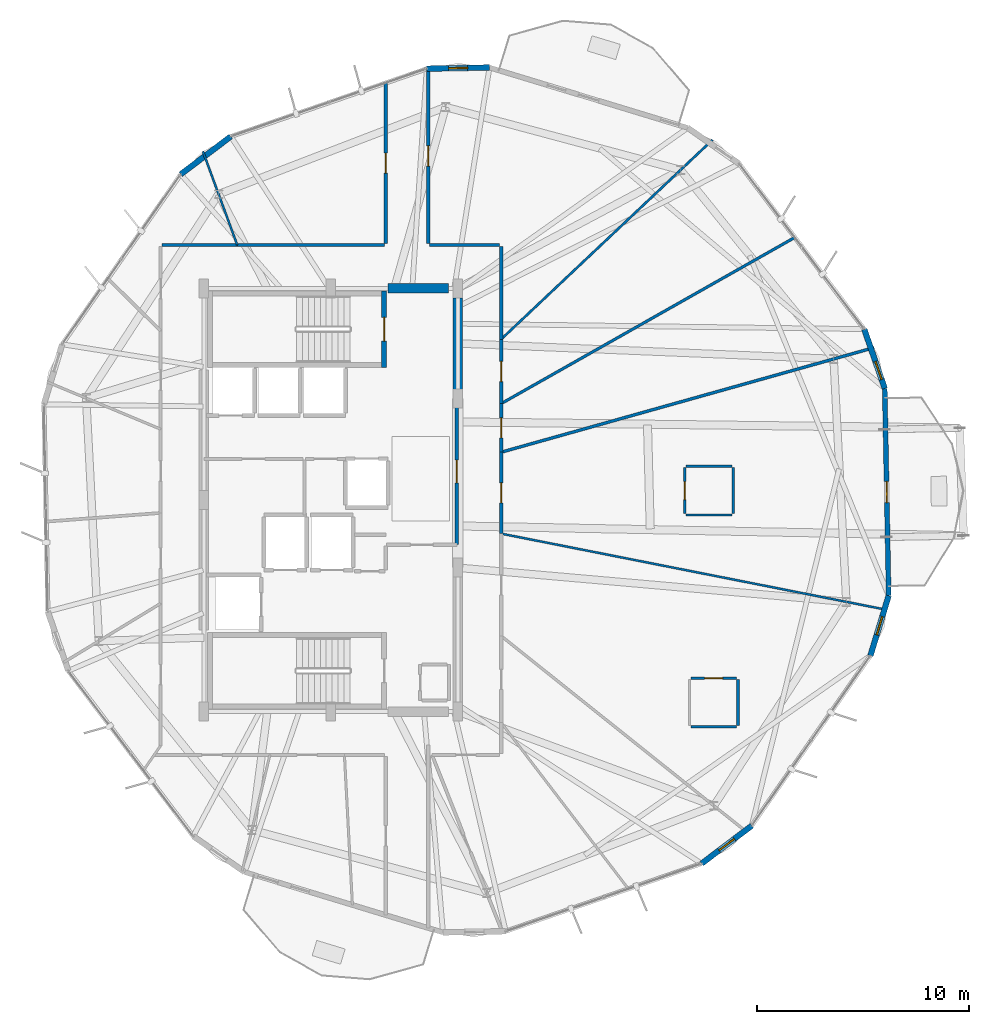
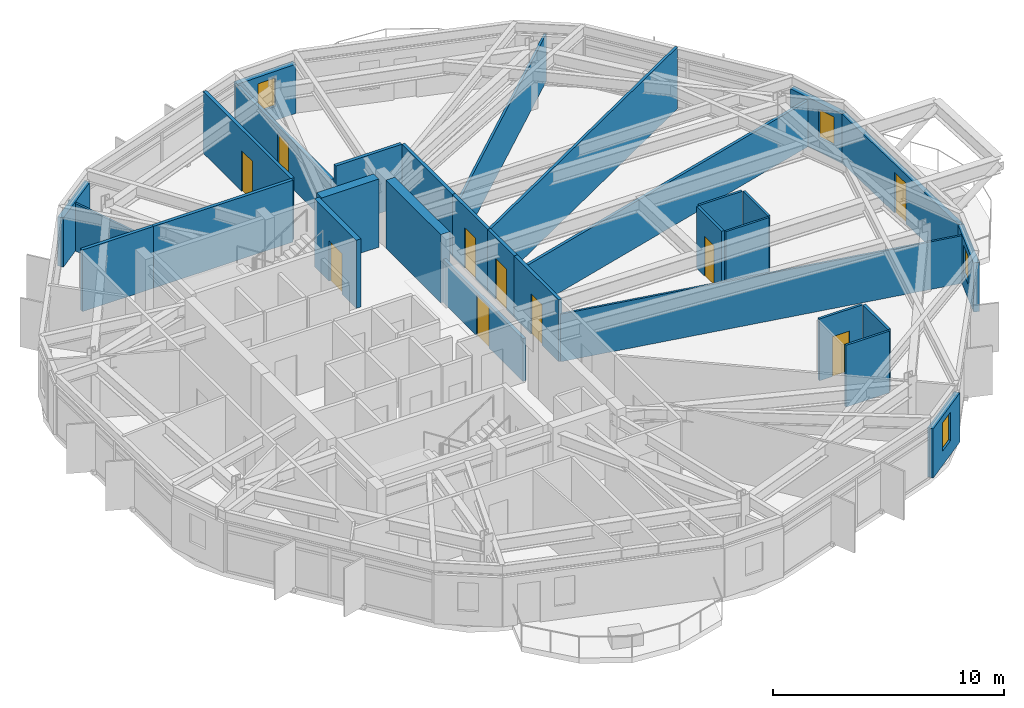
# One storey, part 30 of 34: 31 walls, 10 doors, 4 windows, 14 openings.
"""IFC4 building model written with IfcOpenShell, lengths in metres."""

import ifcopenshell
import ifcopenshell.guid

model = None  # the IFC model being written
_history = None  # IfcOwnerHistory: only IFC2X3 demands one
_inside = {}  # id of a spatial element -> (the spatial element, [elements in it])
_under = {}  # id of a project, library or spatial element -> (it, [spatial elements below it])
_declared = {}  # id of a project -> (the project, [libraries it declares])
_typed = {}  # id of a type object -> (the type object, [elements of that type])
_made_of = {}  # id of a material, layer set ... -> (it, [elements and type objects made of it])


def new_model(schema):
    """Start an empty IFC model of exactly this schema.

    Asked for "IFC4X3", IfcOpenShell would pick the latest addendum, in which some entities
    have other attributes; the version numbers below select the first issue.
    IFC2X3 requires an IfcOwnerHistory on every rooted entity: one is made here for all.
    """
    global model, _history
    if schema == "IFC4X3":
        model = ifcopenshell.file(schema_version=(4, 3, 0, 0))
    else:
        model = ifcopenshell.file(schema=schema)
    _inside.clear()
    _under.clear()
    _declared.clear()
    _typed.clear()
    _made_of.clear()
    _history = None
    if model.schema == "IFC2X3":
        org = make("IfcOrganization", Name="unknown")
        user = make(
            "IfcPersonAndOrganization",
            ThePerson=make("IfcPerson", FamilyName="unknown"),
            TheOrganization=org,
        )
        app = make(
            "IfcApplication",
            ApplicationDeveloper=org,
            Version="unknown",
            ApplicationFullName="unknown",
            ApplicationIdentifier="unknown",
        )
        _history = make(
            "IfcOwnerHistory",
            OwningUser=user,
            OwningApplication=app,
            ChangeAction="ADDED",
            CreationDate=0,
        )
    return model


def make(cls, **values):
    """One entity of the class cls with the attributes given. An attribute that is None is left unset."""
    return model.create_entity(
        cls, **{name: value for name, value in values.items() if value is not None}
    )


def rooted(cls, **values):
    """An entity with a GlobalId (a new one), such as an element, a storey or a relation."""
    return make(cls, GlobalId=ifcopenshell.guid.new(), OwnerHistory=_history, **values)


def si_unit(unit_type, name, prefix=None):
    """IfcSIUnit, for example si_unit("LENGTHUNIT", "METRE", prefix="MILLI")."""
    return make("IfcSIUnit", UnitType=unit_type, Prefix=prefix, Name=name)


def assignment(units):
    """IfcUnitAssignment: the units of a project."""
    return None if units is None else make("IfcUnitAssignment", Units=units)


def point(xyz):
    """IfcCartesianPoint."""
    return None if xyz is None else make("IfcCartesianPoint", Coordinates=xyz)


def direction(xyz):
    """IfcDirection."""
    return None if xyz is None else make("IfcDirection", DirectionRatios=xyz)


def frame(location, z_axis=None, x_axis=None):
    """IfcAxis2Placement3D, a coordinate frame: its origin and axes. An axis left out is left unset."""
    return make(
        "IfcAxis2Placement3D",
        Location=point(location),
        Axis=direction(z_axis),
        RefDirection=direction(x_axis),
    )


def frame_2d(location, x_axis=None):
    """IfcAxis2Placement2D, a coordinate frame in the plane: its origin and x axis."""
    return make(
        "IfcAxis2Placement2D", Location=point(location), RefDirection=direction(x_axis)
    )


def origin():
    """The frame at (0, 0, 0) with its axes left unset."""
    return frame((0.0, 0.0, 0.0))


def place(relative_to, where):
    """IfcLocalPlacement: puts the frame where relative to a parent placement (None: the world)."""
    return make(
        "IfcLocalPlacement", PlacementRelTo=relative_to, RelativePlacement=where
    )


def context(
    kind, dimensions, precision=None, world=None, true_north=None, identifier=None
):
    """IfcGeometricRepresentationContext, for example the 3D "Model" context."""
    return make(
        "IfcGeometricRepresentationContext",
        ContextIdentifier=identifier,
        ContextType=kind,
        CoordinateSpaceDimension=dimensions,
        Precision=precision,
        WorldCoordinateSystem=world,
        TrueNorth=true_north,
    )


def subcontext(parent, identifier, kind, view, scale=None):
    """IfcGeometricRepresentationSubContext, for example "Body" below "Model"."""
    return make(
        "IfcGeometricRepresentationSubContext",
        ContextIdentifier=identifier,
        ContextType=kind,
        ParentContext=parent,
        TargetScale=scale,
        TargetView=view,
    )


def project(units=None, contexts=None):
    """IfcProject with its units and contexts."""
    return rooted(
        "IfcProject",
        Name="project",
        RepresentationContexts=contexts,
        UnitsInContext=assignment(units),
    )


def spatial(cls, under=None, at=None, **own):
    """A site, building, storey or space (cls), placed at a placement, below another one or the project."""
    s = rooted(cls, ObjectPlacement=at, **own)
    if under is not None:
        _under.setdefault(under.id(), (under, []))[1].append(s)
    return s


def profile(cls, at=None, kind="AREA", **sizes):
    """A parametric profile (cls). Its sizes go by their IFC names, for example OverallWidth=200.0."""
    return make(cls, ProfileType=kind, Position=at, **sizes)


def rectangle(**sizes):
    """IfcRectangleProfileDef."""
    return profile("IfcRectangleProfileDef", **sizes)


def extrude(swept, where, along, depth):
    """IfcExtrudedAreaSolid: the profile swept, set in the frame where, extruded along a direction by depth."""
    return make(
        "IfcExtrudedAreaSolid",
        SweptArea=swept,
        Position=where,
        ExtrudedDirection=direction(along),
        Depth=depth,
    )


def shape(context_of_items, identifier, shape_type, items):
    """IfcShapeRepresentation: the items that make up one representation, for example the "Body"."""
    return make(
        "IfcShapeRepresentation",
        ContextOfItems=context_of_items,
        RepresentationIdentifier=identifier,
        RepresentationType=shape_type,
        Items=items,
    )


def material(Name=None, Category=None):
    """IfcMaterial."""
    return make("IfcMaterial", Name=Name, Category=Category)


def layer(
    of_material, thickness, ventilated=None, Name=None, Category=None, Priority=None
):
    """IfcMaterialLayer: one layer of a wall or slab, of a material (None: an air gap)."""
    return make(
        "IfcMaterialLayer",
        Material=of_material,
        LayerThickness=thickness,
        IsVentilated=ventilated,
        Name=Name,
        Category=Category,
        Priority=Priority,
    )


def layer_set(layers, Name=None):
    """IfcMaterialLayerSet."""
    return make("IfcMaterialLayerSet", MaterialLayers=layers, LayerSetName=Name)


def made_of(thing, what):
    """Note that an element or type object is made of a material, layer set ...; save() writes the relation."""
    if what is not None:
        _made_of.setdefault(what.id(), (what, []))[1].append(thing)
    return thing


def type_object(cls, material=None, **own):
    """A type object (cls), such as IfcWallType, which elements share."""
    return made_of(rooted(cls, **own), material)


def element(
    cls,
    number,
    at=None,
    inside=None,
    cuts=None,
    type_object=None,
    material=None,
    context=None,
    identifier="Body",
    shape_type=None,
    held_by="IfcProductDefinitionShape",
    body=None,
    shapes=None,
    **own,
):
    """One element of the class cls, such as IfcWall. Its Tag is "e" and its number.

    at: its placement. inside: the storey or other place that contains it. cuts: it is an
    opening in that element (IfcRelVoidsElement). A single representation is given by context,
    identifier, shape_type and body (its items); several are given by shapes. held_by: the class
    of the entity that holds the representations. save() writes the other relations.
    """
    e = rooted(cls, Tag="e%d" % number, ObjectPlacement=at, **own)
    if body is not None:
        shapes = [shape(context, identifier, shape_type, body)]
    if shapes is not None:
        e.Representation = make(held_by, Representations=shapes)
    if inside is not None:
        _inside.setdefault(inside.id(), (inside, []))[1].append(e)
    if cuts is not None:
        rooted(
            "IfcRelVoidsElement", RelatingBuildingElement=cuts, RelatedOpeningElement=e
        )
    if type_object is not None:
        _typed.setdefault(type_object.id(), (type_object, []))[1].append(e)
    return made_of(e, material)


def fill(opening, filler):
    """IfcRelFillsElement: the door or window that sits in an opening."""
    return rooted(
        "IfcRelFillsElement",
        RelatingOpeningElement=opening,
        RelatedBuildingElement=filler,
    )


def aggregate(whole, parts):
    """IfcRelAggregates: a whole, such as a stair, and the parts it consists of."""
    return rooted("IfcRelAggregates", RelatingObject=whole, RelatedObjects=parts)


def save(model, path):
    """Write the relations noted so far, then the file.

    IfcRelAggregates (storeys below a building ...), IfcRelContainedInSpatialStructure (elements
    in a storey), IfcRelDefinesByType, IfcRelAssociatesMaterial and IfcRelDeclares: one each for
    every whole, place, type object, material and project.
    """
    for whole, parts in _under.values():
        aggregate(whole, parts)
    for where, things in _inside.values():
        rooted(
            "IfcRelContainedInSpatialStructure",
            RelatedElements=things,
            RelatingStructure=where,
        )
    for kind, things in _typed.values():
        rooted("IfcRelDefinesByType", RelatedObjects=things, RelatingType=kind)
    for what, things in _made_of.values():
        rooted("IfcRelAssociatesMaterial", RelatedObjects=things, RelatingMaterial=what)
    for by, libraries in _declared.values():
        rooted("IfcRelDeclares", RelatingContext=by, RelatedDefinitions=libraries)
    model.write(path)


model = new_model("IFC4")

# Units and contexts
model_context = context("Model", 3, precision=1e-05, world=origin(), true_north=direction((0.0, 1.0)))
body_context = subcontext(model_context, "Body", "Model", "MODEL_VIEW")
ifc_project = project(units=[si_unit("LENGTHUNIT", "METRE"), si_unit("AREAUNIT", "SQUARE_METRE"), si_unit("VOLUMEUNIT", "CUBIC_METRE"), si_unit("PLANEANGLEUNIT", "RADIAN"), si_unit("MASSUNIT", "GRAM", prefix="KILO")], contexts=[model_context])

# Site, building, storey
site_placement = place(None, origin())
site = spatial("IfcSite", under=ifc_project, at=site_placement, CompositionType="ELEMENT")
building_placement = place(site_placement, origin())
building = spatial("IfcBuilding", under=site, at=building_placement, Name="Soratama Intermodal Tower", CompositionType="ELEMENT")
storey_placement = place(building_placement, frame((0.0, 0.0, 233.800048828125)))
storey = spatial("IfcBuildingStorey", under=building, at=storey_placement, Name="L59", CompositionType="ELEMENT", Elevation=233.800048828125)

# Wall, opening, door
ifc_material_1 = material(Name="Concrete f'c 42 MPa", Category="concrete")
ifc_layer_1 = layer(ifc_material_1, 0.22998046875)
ifc_layer_set_1 = layer_set([ifc_layer_1], Name="Concrete f'c 42 MPa")
wall_type_1 = type_object("IfcWallType", Name="EW-BAL-230", PredefinedType="SOLIDWALL", material=ifc_layer_set_1)
wall_1_placement = place(storey_placement, frame((64.9658203125, 20.476806640625, 0.0), z_axis=(0.0, 0.0, 1.0), x_axis=(-0.018838247523, 0.99982254447, 0.0)))
wall_1 = element("IfcWall", 1, at=wall_1_placement, inside=storey, type_object=wall_type_1, Name="L59 Terrace Wall F09", PredefinedType="SOLIDWALL", context=body_context, shape_type="SweptSolid", body=[
    extrude(rectangle(XDim=9.797607421875, YDim=0.22998046875, at=frame_2d((4.89892578125, 0.0))), origin(), (0.0, 0.0, 1.0), 2.598876953125),
])
opening_1_placement = place(wall_1_placement, frame((4.398681640625, 0.0, 0.0)))
opening_1 = element("IfcOpeningElement", 2, at=opening_1_placement, cuts=wall_1, Name="Opening ED-2", PredefinedType="OPENING", context=body_context, shape_type="SweptSolid", body=[
    extrude(rectangle(XDim=1.0, YDim=2.14990234375, at=frame_2d((0.5, 1.074951171875))), frame((0.0, 0.125, 0.0), z_axis=(0.0, -1.0, 0.0), x_axis=(1.0, 0.0, 0.0)), (0.0, 0.0, 1.0), 0.25),
])
ifc_material_2 = material(Name="Double-glazed aluminium door", Category="aluminium")
door_type_1 = type_object("IfcDoorType", Name="DR-BAL-1000", OperationType="NOTDEFINED", PredefinedType="DOOR", material=ifc_material_2)
door_1_placement = place(opening_1_placement, origin())
door_1 = element("IfcDoor", 3, at=door_1_placement, inside=storey, type_object=door_type_1, Name="L59 Balcony Door F09", OperationType="SINGLE_SWING_LEFT", OverallHeight=2.14990234375, OverallWidth=1.0, PredefinedType="DOOR", context=body_context, shape_type="SweptSolid", body=[
    extrude(rectangle(XDim=1.0, YDim=2.14990234375, at=frame_2d((0.5, 1.074951171875))), frame((0.0, 0.02490234375, 0.0), z_axis=(0.0, -1.0, 0.0), x_axis=(1.0, 0.0, 0.0)), (0.0, 0.0, 1.0), 0.050048828125),
])
fill(opening_1, door_1)

# Wall, opening, window
ifc_material_3 = material(Name="Concrete f'c 42 MPa", Category="concrete")
ifc_layer_2 = layer(ifc_material_3, 0.27001953125)
ifc_layer_set_2 = layer_set([ifc_layer_2], Name="Concrete f'c 42 MPa")
wall_type_2 = type_object("IfcWallType", Name="EW-CRN-270", PredefinedType="SOLIDWALL", material=ifc_layer_set_2)
wall_2_placement = place(storey_placement, frame((46.09814453125, 45.4423828125, 0.0), z_axis=(0.0, 0.0, 1.0), x_axis=(-0.999822399495, -0.018845940364, 0.0)))
wall_2 = element("IfcWall", 4, at=wall_2_placement, inside=storey, type_object=wall_type_2, Name="L59 Corner Closure Wall 01", PredefinedType="SOLIDWALL", context=body_context, shape_type="SweptSolid", body=[
    extrude(rectangle(XDim=2.966552734375, YDim=0.27001953125, at=frame_2d((1.4833984375, 0.0))), origin(), (0.0, 0.0, 1.0), 2.598876953125),
])
opening_2_placement = place(wall_2_placement, frame((1.033203125, 0.0, 0.75)))
opening_2 = element("IfcOpeningElement", 5, at=opening_2_placement, cuts=wall_2, Name="Opening WN-6", PredefinedType="OPENING", context=body_context, shape_type="SweptSolid", body=[
    extrude(rectangle(XDim=0.89990234375, YDim=1.5, at=frame_2d((0.449951171875, 0.75))), frame((0.0, 0.14501953125, 0.0), z_axis=(0.0, -1.0, 0.0), x_axis=(1.0, 0.0, 0.0)), (0.0, 0.0, 1.0), 0.2900390625),
])
ifc_material_4 = material(Name="Double-glazed aluminium window", Category="aluminium")
window_type = type_object("IfcWindowType", Name="WN-FAC-900", PartitioningType="SINGLE_PANEL", PredefinedType="WINDOW", material=ifc_material_4)
window_1_placement = place(opening_2_placement, origin())
window_1 = element("IfcWindow", 6, at=window_1_placement, inside=storey, type_object=window_type, Name="L59 Corner Window 01", OverallHeight=1.5, OverallWidth=0.89990234375, PartitioningType="SINGLE_PANEL", PredefinedType="WINDOW", context=body_context, shape_type="SweptSolid", body=[
    extrude(rectangle(XDim=0.89990234375, YDim=1.5, at=frame_2d((0.449951171875, 0.75))), frame((0.0, 0.030029296875, 0.0), z_axis=(0.0, -1.0, 0.0), x_axis=(1.0, 0.0, 0.0)), (0.0, 0.0, 1.0), 0.06005859375),
])
fill(opening_2, window_1)

# Wall
wall_3_placement = place(storey_placement, frame((33.872802734375, 42.18359375, 0.0), z_axis=(0.0, 0.0, 1.0), x_axis=(-0.797802225535, -0.602919239145, 0.0)))
element("IfcWall", 7, at=wall_3_placement, inside=storey, type_object=wall_type_2, Name="L59 Corner Closure Wall 02", PredefinedType="SOLIDWALL", context=body_context, shape_type="SweptSolid", body=[
    extrude(rectangle(XDim=2.966552734375, YDim=0.27001953125, at=frame_2d((1.4833984375, 0.0))), origin(), (0.0, 0.0, 1.0), 2.598876953125),
])

# Wall, opening, window
wall_4_placement = place(storey_placement, frame((56.127197265625, 7.81640625, 0.0), z_axis=(0.0, 0.0, 1.0), x_axis=(0.797802225535, 0.602919239145, 0.0)))
wall_4 = element("IfcWall", 8, at=wall_4_placement, inside=storey, type_object=wall_type_2, Name="L59 Corner Closure Wall 07", PredefinedType="SOLIDWALL", context=body_context, shape_type="SweptSolid", body=[
    extrude(rectangle(XDim=2.966552734375, YDim=0.27001953125, at=frame_2d((1.4833984375, 0.0))), origin(), (0.0, 0.0, 1.0), 2.598876953125),
])
opening_3_placement = place(wall_4_placement, frame((1.033203125, 0.0, 0.75)))
opening_3 = element("IfcOpeningElement", 9, at=opening_3_placement, cuts=wall_4, Name="Opening WN-6", PredefinedType="OPENING", context=body_context, shape_type="SweptSolid", body=[
    extrude(rectangle(XDim=0.89990234375, YDim=1.5, at=frame_2d((0.449951171875, 0.75))), frame((0.0, 0.14501953125, 0.0), z_axis=(0.0, -1.0, 0.0), x_axis=(1.0, 0.0, 0.0)), (0.0, 0.0, 1.0), 0.2900390625),
])
window_2_placement = place(opening_3_placement, origin())
window_2 = element("IfcWindow", 10, at=window_2_placement, inside=storey, type_object=window_type, Name="L59 Corner Window 07", OverallHeight=1.5, OverallWidth=0.89990234375, PartitioningType="SINGLE_PANEL", PredefinedType="WINDOW", context=body_context, shape_type="SweptSolid", body=[
    extrude(rectangle(XDim=0.89990234375, YDim=1.5, at=frame_2d((0.449951171875, 0.75))), frame((0.0, 0.030029296875, 0.0), z_axis=(0.0, -1.0, 0.0), x_axis=(1.0, 0.0, 0.0)), (0.0, 0.0, 1.0), 0.06005859375),
])
fill(opening_3, window_2)

wall_5_placement = place(storey_placement, frame((64.1025390625, 17.638427734375, 0.0), z_axis=(0.0, 0.0, 1.0), x_axis=(0.290984782506, 0.956727681396, 0.0)))
wall_5 = element("IfcWall", 11, at=wall_5_placement, inside=storey, type_object=wall_type_2, Name="L59 Corner Closure Wall 08", PredefinedType="SOLIDWALL", context=body_context, shape_type="SweptSolid", body=[
    extrude(rectangle(XDim=2.966796875, YDim=0.27001953125, at=frame_2d((1.4833984375, 0.0))), origin(), (0.0, 0.0, 1.0), 2.598876953125),
])
opening_4_placement = place(wall_5_placement, frame((1.033203125, 0.0, 0.75)))
opening_4 = element("IfcOpeningElement", 12, at=opening_4_placement, cuts=wall_5, Name="Opening WN-6", PredefinedType="OPENING", context=body_context, shape_type="SweptSolid", body=[
    extrude(rectangle(XDim=0.89990234375, YDim=1.5, at=frame_2d((0.449951171875, 0.75))), frame((0.0, 0.14501953125, 0.0), z_axis=(0.0, -1.0, 0.0), x_axis=(1.0, 0.0, 0.0)), (0.0, 0.0, 1.0), 0.2900390625),
])
window_3_placement = place(opening_4_placement, origin())
window_3 = element("IfcWindow", 13, at=window_3_placement, inside=storey, type_object=window_type, Name="L59 Corner Window 08", OverallHeight=1.5, OverallWidth=0.89990234375, PartitioningType="SINGLE_PANEL", PredefinedType="WINDOW", context=body_context, shape_type="SweptSolid", body=[
    extrude(rectangle(XDim=0.89990234375, YDim=1.5, at=frame_2d((0.449951171875, 0.75))), frame((0.0, 0.030029296875, 0.0), z_axis=(0.0, -1.0, 0.0), x_axis=(1.0, 0.0, 0.0)), (0.0, 0.0, 1.0), 0.06005859375),
])
fill(opening_4, window_3)

wall_6_placement = place(storey_placement, frame((64.78125, 30.272705078125, 0.0), z_axis=(0.0, 0.0, 1.0), x_axis=(-0.326898552416, 0.945059435395, 0.0)))
wall_6 = element("IfcWall", 14, at=wall_6_placement, inside=storey, type_object=wall_type_2, Name="L59 Corner Closure Wall 09", PredefinedType="SOLIDWALL", context=body_context, shape_type="SweptSolid", body=[
    extrude(rectangle(XDim=2.966552734375, YDim=0.27001953125, at=frame_2d((1.4833984375, 0.0))), origin(), (0.0, 0.0, 1.0), 2.598876953125),
])
opening_5_placement = place(wall_6_placement, frame((0.449951171875, 0.0, 0.75)))
opening_5 = element("IfcOpeningElement", 15, at=opening_5_placement, cuts=wall_6, Name="Opening WN-6", PredefinedType="OPENING", context=body_context, shape_type="SweptSolid", body=[
    extrude(rectangle(XDim=0.89990234375, YDim=1.5, at=frame_2d((0.449951171875, 0.75))), frame((0.0, 0.14501953125, 0.0), z_axis=(0.0, -1.0, 0.0), x_axis=(1.0, 0.0, 0.0)), (0.0, 0.0, 1.0), 0.2900390625),
])
window_4_placement = place(opening_5_placement, origin())
window_4 = element("IfcWindow", 16, at=window_4_placement, inside=storey, type_object=window_type, Name="L59 Corner Window 09", OverallHeight=1.5, OverallWidth=0.89990234375, PartitioningType="SINGLE_PANEL", PredefinedType="WINDOW", context=body_context, shape_type="SweptSolid", body=[
    extrude(rectangle(XDim=0.89990234375, YDim=1.5, at=frame_2d((0.449951171875, 0.75))), frame((0.0, 0.030029296875, 0.0), z_axis=(0.0, -1.0, 0.0), x_axis=(1.0, 0.0, 0.0)), (0.0, 0.0, 1.0), 0.06005859375),
])
fill(opening_5, window_4)

# Wall, opening, door
ifc_material_5 = material(Name="Fire-rated gypsum stud partition", Category="concrete")
ifc_layer_3 = layer(ifc_material_5, 0.159912109375)
ifc_layer_set_3 = layer_set([ifc_layer_3], Name="Fire-rated gypsum stud partition")
wall_type_3 = type_object("IfcWallType", Name="IW-PART-R160", PredefinedType="PARTITIONING", material=ifc_layer_set_3)
wall_7_placement = place(storey_placement, frame((43.199951171875, 45.39892578125, 0.0), z_axis=(0.0, 0.0, 1.0), x_axis=(0.0, -1.0, 0.0)))
wall_7 = element("IfcWall", 17, at=wall_7_placement, inside=storey, type_object=wall_type_3, Name="L59 Partition W-L59-TP008", PredefinedType="PARTITIONING", context=body_context, shape_type="SweptSolid", body=[
    extrude(rectangle(XDim=8.27880859375, YDim=0.159912109375, at=frame_2d((4.139404296875, 0.0))), origin(), (0.0, 0.0, 1.0), 2.514892578125),
])
opening_6_placement = place(wall_7_placement, frame((3.6650390625, 0.0, 0.0)))
opening_6 = element("IfcOpeningElement", 18, at=opening_6_placement, cuts=wall_7, Name="Opening ID-3", PredefinedType="OPENING", context=body_context, shape_type="SweptSolid", body=[
    extrude(rectangle(XDim=0.949951171875, YDim=2.14990234375, at=frame_2d((0.47509765625, 1.074951171875))), frame((0.0, 0.08984375, 0.0), z_axis=(0.0, -1.0, 0.0), x_axis=(1.0, 0.0, 0.0)), (0.0, 0.0, 1.0), 0.179931640625),
])
ifc_material_6 = material(Name="Solid hardwood acoustic door", Category="wood")
door_type_2 = type_object("IfcDoorType", Name="DR-ROOM-950", OperationType="NOTDEFINED", PredefinedType="DOOR", material=ifc_material_6)
door_2_placement = place(opening_6_placement, origin())
door_2 = element("IfcDoor", 19, at=door_2_placement, inside=storey, type_object=door_type_2, Name="L59 Door D-L59-TP001", OperationType="SINGLE_SWING_RIGHT", OverallHeight=2.14990234375, OverallWidth=0.949951171875, PredefinedType="DOOR", context=body_context, shape_type="SweptSolid", body=[
    extrude(rectangle(XDim=0.949951171875, YDim=2.14990234375, at=frame_2d((0.47509765625, 1.074951171875))), frame((0.0, 0.02490234375, 0.0), z_axis=(0.0, -1.0, 0.0), x_axis=(1.0, 0.0, 0.0)), (0.0, 0.0, 1.0), 0.050048828125),
])
fill(opening_6, door_2)

wall_8_placement = place(storey_placement, frame((41.199951171875, 37.1201171875, 0.0), z_axis=(0.0, 0.0, 1.0), x_axis=(0.0, 1.0, 0.0)))
wall_8 = element("IfcWall", 20, at=wall_8_placement, inside=storey, type_object=wall_type_3, Name="L59 Partition W-L59-TP009", PredefinedType="PARTITIONING", context=body_context, shape_type="SweptSolid", body=[
    extrude(rectangle(XDim=7.597900390625, YDim=0.159912109375, at=frame_2d((3.798828125, 0.0))), origin(), (0.0, 0.0, 1.0), 3.260009765625),
])
opening_7_placement = place(wall_8_placement, frame((3.323974609375, 0.0, 0.0)))
opening_7 = element("IfcOpeningElement", 21, at=opening_7_placement, cuts=wall_8, Name="Opening ID-3", PredefinedType="OPENING", context=body_context, shape_type="SweptSolid", body=[
    extrude(rectangle(XDim=0.949951171875, YDim=2.14990234375, at=frame_2d((0.47509765625, 1.074951171875))), frame((0.0, 0.08984375, 0.0), z_axis=(0.0, -1.0, 0.0), x_axis=(1.0, 0.0, 0.0)), (0.0, 0.0, 1.0), 0.179931640625),
])
door_3_placement = place(opening_7_placement, origin())
door_3 = element("IfcDoor", 22, at=door_3_placement, inside=storey, type_object=door_type_2, Name="L59 Door D-L59-TP002", OperationType="SINGLE_SWING_LEFT", OverallHeight=2.14990234375, OverallWidth=0.949951171875, PredefinedType="DOOR", context=body_context, shape_type="SweptSolid", body=[
    extrude(rectangle(XDim=0.949951171875, YDim=2.14990234375, at=frame_2d((0.47509765625, 1.074951171875))), frame((0.0, 0.02490234375, 0.0), z_axis=(0.0, -1.0, 0.0), x_axis=(1.0, 0.0, 0.0)), (0.0, 0.0, 1.0), 0.050048828125),
])
fill(opening_7, door_3)

# Wall
wall_9_placement = place(storey_placement, frame((34.177001953125, 37.050048828125, 0.0), z_axis=(0.0, 0.0, 1.0), x_axis=(1.0, 0.0, 0.0)))
element("IfcWall", 23, at=wall_9_placement, inside=storey, type_object=wall_type_3, Name="L59 Partition W-L59-TP012", PredefinedType="PARTITIONING", context=body_context, shape_type="SweptSolid", body=[
    extrude(rectangle(XDim=6.952880859375, YDim=0.159912109375, at=frame_2d((3.4765625, 0.0))), origin(), (0.0, 0.0, 1.0), 3.260009765625),
])

# Wall, opening, door
wall_10_placement = place(storey_placement, frame((44.56005859375, 29.800048828125, 0.0), z_axis=(0.0, 0.0, 1.0), x_axis=(0.0, -1.0, 0.0)))
wall_10 = element("IfcWall", 24, at=wall_10_placement, inside=storey, type_object=wall_type_3, Name="L59 Partition W-L59-TP013", PredefinedType="PARTITIONING", context=body_context, shape_type="SweptSolid", body=[
    extrude(rectangle(XDim=6.91015625, YDim=0.159912109375, at=frame_2d((3.455078125, 0.0))), origin(), (0.0, 0.0, 1.0), 2.260009765625),
])
opening_8_placement = place(wall_10_placement, frame((2.9150390625, 0.0, 0.0)))
opening_8 = element("IfcOpeningElement", 25, at=opening_8_placement, cuts=wall_10, Name="Opening ID-1", PredefinedType="OPENING", context=body_context, shape_type="SweptSolid", body=[
    extrude(rectangle(XDim=1.080078125, YDim=2.14990234375, at=frame_2d((0.5400390625, 1.074951171875))), frame((0.0, 0.08984375, 0.0), z_axis=(0.0, -1.0, 0.0), x_axis=(1.0, 0.0, 0.0)), (0.0, 0.0, 1.0), 0.179931640625),
])
ifc_material_7 = material(Name="Solid hardwood acoustic door", Category="wood")
door_type_3 = type_object("IfcDoorType", Name="DR-LOB-FD60", OperationType="NOTDEFINED", PredefinedType="DOOR", material=ifc_material_7)
door_4_placement = place(opening_8_placement, origin())
door_4 = element("IfcDoor", 26, at=door_4_placement, inside=storey, type_object=door_type_3, Name="L59 Door D-L59-TP004", OperationType="SINGLE_SWING_LEFT", OverallHeight=2.14990234375, OverallWidth=1.080078125, PredefinedType="DOOR", context=body_context, shape_type="SweptSolid", body=[
    extrude(rectangle(XDim=1.080078125, YDim=2.14990234375, at=frame_2d((0.5400390625, 1.074951171875))), frame((0.0, 0.02490234375, 0.0), z_axis=(0.0, -1.0, 0.0), x_axis=(1.0, 0.0, 0.0)), (0.0, 0.0, 1.0), 0.050048828125),
])
fill(opening_8, door_4)

# Wall
wall_11_placement = place(storey_placement, frame((46.64990234375, 36.97998046875, 0.0), z_axis=(0.0, 0.0, 1.0), x_axis=(0.0, -1.0, 0.0)))
element("IfcWall", 27, at=wall_11_placement, inside=storey, type_object=wall_type_3, Name="L59 Partition W-L59-TP024", PredefinedType="PARTITIONING", context=body_context, shape_type="SweptSolid", body=[
    extrude(rectangle(XDim=4.383056640625, YDim=0.159912109375, at=frame_2d((2.19140625, 0.0))), origin(), (0.0, 0.0, 1.0), 3.260009765625),
])

# Wall, opening, door
wall_12_placement = place(storey_placement, frame((46.64990234375, 27.258056640625, 0.0), z_axis=(0.0, 0.0, 1.0), x_axis=(0.0, -1.0, 0.0)))
wall_12 = element("IfcWall", 28, at=wall_12_placement, inside=storey, type_object=wall_type_3, Name="L59 Partition W-L59-TP029", PredefinedType="PARTITIONING", context=body_context, shape_type="SweptSolid", body=[
    extrude(rectangle(XDim=3.84814453125, YDim=0.159912109375, at=frame_2d((1.924072265625, 0.0))), origin(), (0.0, 0.0, 1.0), 3.260009765625),
])
opening_9_placement = place(wall_12_placement, frame((1.448974609375, 0.0, 0.0)))
opening_9 = element("IfcOpeningElement", 29, at=opening_9_placement, cuts=wall_12, Name="Opening ID-3", PredefinedType="OPENING", context=body_context, shape_type="SweptSolid", body=[
    extrude(rectangle(XDim=0.949951171875, YDim=2.14990234375, at=frame_2d((0.47509765625, 1.074951171875))), frame((0.0, 0.08984375, 0.0), z_axis=(0.0, -1.0, 0.0), x_axis=(1.0, 0.0, 0.0)), (0.0, 0.0, 1.0), 0.179931640625),
])
door_5_placement = place(opening_9_placement, origin())
door_5 = element("IfcDoor", 30, at=door_5_placement, inside=storey, type_object=door_type_2, Name="L59 Door D-L59-TP014", OperationType="SINGLE_SWING_LEFT", OverallHeight=2.14990234375, OverallWidth=0.949951171875, PredefinedType="DOOR", context=body_context, shape_type="SweptSolid", body=[
    extrude(rectangle(XDim=0.949951171875, YDim=2.14990234375, at=frame_2d((0.47509765625, 1.074951171875))), frame((0.0, 0.02490234375, 0.0), z_axis=(0.0, -1.0, 0.0), x_axis=(1.0, 0.0, 0.0)), (0.0, 0.0, 1.0), 0.050048828125),
])
fill(opening_9, door_5)

# Walls
wall_13_placement = place(storey_placement, frame((30.6201171875, 37.050048828125, 0.0), z_axis=(0.0, 0.0, 1.0), x_axis=(1.0, 0.0, 0.0)))
element("IfcWall", 31, at=wall_13_placement, inside=storey, type_object=wall_type_3, Name="L59 Partition W-L59-TP030", PredefinedType="PARTITIONING", context=body_context, shape_type="SweptSolid", body=[
    extrude(rectangle(XDim=3.556884765625, YDim=0.159912109375, at=frame_2d((1.7783203125, 0.0))), origin(), (0.0, 0.0, 1.0), 3.260009765625),
])
wall_14_placement = place(storey_placement, frame((43.27001953125, 37.050048828125, 0.0), z_axis=(0.0, 0.0, 1.0), x_axis=(1.0, 0.0, 0.0)))
element("IfcWall", 32, at=wall_14_placement, inside=storey, type_object=wall_type_3, Name="L59 Partition W-L59-TP034", PredefinedType="PARTITIONING", context=body_context, shape_type="SweptSolid", body=[
    extrude(rectangle(XDim=3.31005859375, YDim=0.159912109375, at=frame_2d((1.655029296875, 0.0))), origin(), (0.0, 0.0, 1.0), 3.260009765625),
])

# Wall, opening, door
wall_15_placement = place(storey_placement, frame((46.64990234375, 32.596923828125, 0.0), z_axis=(0.0, 0.0, 1.0), x_axis=(0.0, -1.0, 0.0)))
wall_15 = element("IfcWall", 33, at=wall_15_placement, inside=storey, type_object=wall_type_3, Name="L59 Partition W-L59-TP036", PredefinedType="PARTITIONING", context=body_context, shape_type="SweptSolid", body=[
    extrude(rectangle(XDim=3.0419921875, YDim=0.159912109375, at=frame_2d((1.52099609375, 0.0))), origin(), (0.0, 0.0, 1.0), 3.260009765625),
])
opening_10_placement = place(wall_15_placement, frame((1.0458984375, 0.0, 0.0)))
opening_10 = element("IfcOpeningElement", 34, at=opening_10_placement, cuts=wall_15, Name="Opening ID-3", PredefinedType="OPENING", context=body_context, shape_type="SweptSolid", body=[
    extrude(rectangle(XDim=0.949951171875, YDim=2.14990234375, at=frame_2d((0.47509765625, 1.074951171875))), frame((0.0, 0.08984375, 0.0), z_axis=(0.0, -1.0, 0.0), x_axis=(1.0, 0.0, 0.0)), (0.0, 0.0, 1.0), 0.179931640625),
])
door_6_placement = place(opening_10_placement, origin())
door_6 = element("IfcDoor", 35, at=door_6_placement, inside=storey, type_object=door_type_2, Name="L59 Door D-L59-TP018", OperationType="SINGLE_SWING_LEFT", OverallHeight=2.14990234375, OverallWidth=0.949951171875, PredefinedType="DOOR", context=body_context, shape_type="SweptSolid", body=[
    extrude(rectangle(XDim=0.949951171875, YDim=2.14990234375, at=frame_2d((0.47509765625, 1.074951171875))), frame((0.0, 0.02490234375, 0.0), z_axis=(0.0, -1.0, 0.0), x_axis=(1.0, 0.0, 0.0)), (0.0, 0.0, 1.0), 0.050048828125),
])
fill(opening_10, door_6)

wall_16_placement = place(storey_placement, frame((46.64990234375, 29.554931640625, 0.0), z_axis=(0.0, 0.0, 1.0), x_axis=(0.0, -1.0, 0.0)))
wall_16 = element("IfcWall", 36, at=wall_16_placement, inside=storey, type_object=wall_type_3, Name="L59 Partition W-L59-TP038", PredefinedType="PARTITIONING", context=body_context, shape_type="SweptSolid", body=[
    extrude(rectangle(XDim=2.296875, YDim=0.159912109375, at=frame_2d((1.1484375, 0.0))), origin(), (0.0, 0.0, 1.0), 3.260009765625),
])
opening_11_placement = place(wall_16_placement, frame((0.674072265625, 0.0, 0.0)))
opening_11 = element("IfcOpeningElement", 37, at=opening_11_placement, cuts=wall_16, Name="Opening ID-3", PredefinedType="OPENING", context=body_context, shape_type="SweptSolid", body=[
    extrude(rectangle(XDim=0.949951171875, YDim=2.14990234375, at=frame_2d((0.47509765625, 1.074951171875))), frame((0.0, 0.08984375, 0.0), z_axis=(0.0, -1.0, 0.0), x_axis=(1.0, 0.0, 0.0)), (0.0, 0.0, 1.0), 0.179931640625),
])
door_7_placement = place(opening_11_placement, origin())
door_7 = element("IfcDoor", 38, at=door_7_placement, inside=storey, type_object=door_type_2, Name="L59 Door D-L59-TP019", OperationType="SINGLE_SWING_RIGHT", OverallHeight=2.14990234375, OverallWidth=0.949951171875, PredefinedType="DOOR", context=body_context, shape_type="SweptSolid", body=[
    extrude(rectangle(XDim=0.949951171875, YDim=2.14990234375, at=frame_2d((0.47509765625, 1.074951171875))), frame((0.0, 0.02490234375, 0.0), z_axis=(0.0, -1.0, 0.0), x_axis=(1.0, 0.0, 0.0)), (0.0, 0.0, 1.0), 0.050048828125),
])
fill(opening_11, door_7)

# Walls
ifc_material_8 = material(Name="Fire-rated gypsum stud partition", Category="concrete")
ifc_layer_4 = layer(ifc_material_8, 0.10009765625)
ifc_layer_set_4 = layer_set([ifc_layer_4], Name="Fire-rated gypsum stud partition")
wall_type_4 = type_object("IfcWallType", Name="IW-PART-S100", PredefinedType="PARTITIONING", material=ifc_layer_set_4)
wall_17_placement = place(storey_placement, frame((64.873046875, 19.80908203125, 0.0), z_axis=(0.0, 0.0, 1.0), x_axis=(-0.981031493606, 0.19384841643, 0.0)))
element("IfcWall", 39, at=wall_17_placement, inside=storey, type_object=wall_type_4, Name="L59 Partition W-L59-TP001", PredefinedType="PARTITIONING", context=body_context, shape_type="SweptSolid", body=[
    extrude(rectangle(XDim=18.575439453125, YDim=0.10009765625, at=frame_2d((9.28759765625, 0.0))), origin(), (0.0, 0.0, 1.0), 2.514892578125),
])
wall_18_placement = place(storey_placement, frame((34.177001953125, 37.050048828125, 0.0), z_axis=(0.0, 0.0, 1.0), x_axis=(-0.344450796519, 0.938804371942, 0.0)))
element("IfcWall", 40, at=wall_18_placement, inside=storey, type_object=wall_type_4, Name="L59 Partition W-L59-TP021", PredefinedType="PARTITIONING", context=body_context, shape_type="SweptSolid", body=[
    extrude(rectangle(XDim=4.7177734375, YDim=0.10009765625, at=frame_2d((2.35888671875, 0.0))), origin(), (0.0, 0.0, 1.0), 2.514892578125),
])
wall_19_placement = place(storey_placement, frame((55.39599609375, 24.294921875, 0.0), z_axis=(0.0, 0.0, 1.0), x_axis=(1.0, 0.0, 0.0)))
element("IfcWall", 41, at=wall_19_placement, inside=storey, type_object=wall_type_4, Name="L59 Partition W-L59-TP046", PredefinedType="PARTITIONING", context=body_context, shape_type="SweptSolid", body=[
    extrude(rectangle(XDim=2.159912109375, YDim=0.10009765625, at=frame_2d((1.080078125, 0.0))), origin(), (0.0, 0.0, 1.0), 3.260009765625),
])
ifc_material_9 = material(Name="Fire-rated gypsum stud partition", Category="concrete")
ifc_layer_5 = layer(ifc_material_9, 0.110107421875)
ifc_layer_set_5 = layer_set([ifc_layer_5], Name="Fire-rated gypsum stud partition")
wall_type_5 = type_object("IfcWallType", Name="IW-PART-S110", PredefinedType="PARTITIONING", material=ifc_layer_set_5)
wall_20_placement = place(storey_placement, frame((46.64990234375, 32.596923828125, 0.0), z_axis=(0.0, 0.0, 1.0), x_axis=(0.727338908676, 0.686278450722, 0.0)))
element("IfcWall", 42, at=wall_20_placement, inside=storey, type_object=wall_type_5, Name="L59 Partition W-L59-TP005", PredefinedType="PARTITIONING", context=body_context, shape_type="SweptSolid", body=[
    extrude(rectangle(XDim=13.735107421875, YDim=0.110107421875, at=frame_2d((6.86767578125, 0.0))), origin(), (0.0, 0.0, 1.0), 2.514892578125),
])
wall_21_placement = place(storey_placement, frame((55.616943359375, 14.282958984375, 0.0), z_axis=(0.0, 0.0, 1.0), x_axis=(1.0, 0.0, 0.0)))
element("IfcWall", 43, at=wall_21_placement, inside=storey, type_object=wall_type_5, Name="L59 Partition W-L59-TP040", PredefinedType="PARTITIONING", context=body_context, shape_type="SweptSolid", body=[
    extrude(rectangle(XDim=2.16015625, YDim=0.110107421875, at=frame_2d((1.080078125, 0.0))), origin(), (0.0, 0.0, 1.0), 3.260009765625),
])
wall_22_placement = place(storey_placement, frame((57.555908203125, 26.594970703125, 0.0), z_axis=(0.0, 0.0, 1.0), x_axis=(-1.0, 0.0, 0.0)))
element("IfcWall", 44, at=wall_22_placement, inside=storey, type_object=wall_type_5, Name="L59 Partition W-L59-TP045", PredefinedType="PARTITIONING", context=body_context, shape_type="SweptSolid", body=[
    extrude(rectangle(XDim=2.159912109375, YDim=0.110107421875, at=frame_2d((1.080078125, 0.0))), origin(), (0.0, 0.0, 1.0), 3.260009765625),
])

# Wall, opening, door
ifc_material_10 = material(Name="Fire-rated gypsum stud partition", Category="concrete")
ifc_layer_6 = layer(ifc_material_10, 0.1201171875)
ifc_layer_set_6 = layer_set([ifc_layer_6], Name="Fire-rated gypsum stud partition")
wall_type_6 = type_object("IfcWallType", Name="IW-PART-S120", PredefinedType="PARTITIONING", material=ifc_layer_set_6)
wall_23_placement = place(storey_placement, frame((57.777099609375, 16.5830078125, 0.0), z_axis=(0.0, 0.0, 1.0), x_axis=(-1.0, 0.0, 0.0)))
wall_23 = element("IfcWall", 45, at=wall_23_placement, inside=storey, type_object=wall_type_6, Name="L59 Partition W-L59-TP039", PredefinedType="PARTITIONING", context=body_context, shape_type="SweptSolid", body=[
    extrude(rectangle(XDim=2.16015625, YDim=0.1201171875, at=frame_2d((1.080078125, 0.0))), origin(), (0.0, 0.0, 1.0), 3.260009765625),
])
opening_12_placement = place(wall_23_placement, frame((0.655029296875, 0.0, 0.0)))
opening_12 = element("IfcOpeningElement", 46, at=opening_12_placement, cuts=wall_23, Name="Opening ID-4", PredefinedType="OPENING", context=body_context, shape_type="SweptSolid", body=[
    extrude(rectangle(XDim=0.85009765625, YDim=2.10009765625, at=frame_2d((0.425048828125, 1.050048828125))), frame((0.0, 0.070068359375, 0.0), z_axis=(0.0, -1.0, 0.0), x_axis=(1.0, 0.0, 0.0)), (0.0, 0.0, 1.0), 0.14013671875),
])
ifc_material_11 = material(Name="Solid hardwood acoustic door", Category="wood")
door_type_4 = type_object("IfcDoorType", Name="DR-BATH-850", OperationType="NOTDEFINED", PredefinedType="DOOR", material=ifc_material_11)
door_8_placement = place(opening_12_placement, origin())
door_8 = element("IfcDoor", 47, at=door_8_placement, inside=storey, type_object=door_type_4, Name="L59 Door D-L59-TP020", OperationType="SINGLE_SWING_LEFT", OverallHeight=2.10009765625, OverallWidth=0.85009765625, PredefinedType="DOOR", context=body_context, shape_type="SweptSolid", body=[
    extrude(rectangle(XDim=0.85009765625, YDim=2.10009765625, at=frame_2d((0.425048828125, 1.050048828125))), frame((0.0, 0.02490234375, 0.0), z_axis=(0.0, -1.0, 0.0), x_axis=(1.0, 0.0, 0.0)), (0.0, 0.0, 1.0), 0.050048828125),
])
fill(opening_12, door_8)

# Walls
wall_24_placement = place(storey_placement, frame((57.6259765625, 24.364990234375, 0.0), z_axis=(0.0, 0.0, 1.0), x_axis=(0.0, 1.0, 0.0)))
element("IfcWall", 48, at=wall_24_placement, inside=storey, type_object=wall_type_6, Name="L59 Partition W-L59-TP044", PredefinedType="PARTITIONING", context=body_context, shape_type="SweptSolid", body=[
    extrude(rectangle(XDim=2.159912109375, YDim=0.1201171875, at=frame_2d((1.080078125, 0.0))), origin(), (0.0, 0.0, 1.0), 3.260009765625),
])
ifc_material_12 = material(Name="Fire-rated gypsum stud partition", Category="concrete")
ifc_layer_7 = layer(ifc_material_12, 0.1298828125)
ifc_layer_set_7 = layer_set([ifc_layer_7], Name="Fire-rated gypsum stud partition")
wall_type_7 = type_object("IfcWallType", Name="IW-PART-S130", PredefinedType="PARTITIONING", material=ifc_layer_set_7)
wall_25_placement = place(storey_placement, frame((46.64990234375, 29.554931640625, 0.0), z_axis=(0.0, 0.0, 1.0), x_axis=(0.870317622411, 0.492490848769, 0.0)))
element("IfcWall", 49, at=wall_25_placement, inside=storey, type_object=wall_type_7, Name="L59 Partition W-L59-TP003", PredefinedType="PARTITIONING", context=body_context, shape_type="SweptSolid", body=[
    extrude(rectangle(XDim=15.953857421875, YDim=0.1298828125, at=frame_2d((7.97705078125, 0.0))), origin(), (0.0, 0.0, 1.0), 3.260009765625),
])

# Wall, opening, door
wall_26_placement = place(storey_placement, frame((55.325927734375, 26.52490234375, 0.0), z_axis=(0.0, 0.0, 1.0), x_axis=(0.0, -1.0, 0.0)))
wall_26 = element("IfcWall", 50, at=wall_26_placement, inside=storey, type_object=wall_type_7, Name="L59 Partition W-L59-TP043", PredefinedType="PARTITIONING", context=body_context, shape_type="SweptSolid", body=[
    extrude(rectangle(XDim=2.159912109375, YDim=0.1298828125, at=frame_2d((1.080078125, 0.0))), origin(), (0.0, 0.0, 1.0), 3.260009765625),
])
opening_13_placement = place(wall_26_placement, frame((0.655029296875, 0.0, 0.0)))
opening_13 = element("IfcOpeningElement", 51, at=opening_13_placement, cuts=wall_26, Name="Opening ID-4", PredefinedType="OPENING", context=body_context, shape_type="SweptSolid", body=[
    extrude(rectangle(XDim=0.85009765625, YDim=2.10009765625, at=frame_2d((0.425048828125, 1.050048828125))), frame((0.0, 0.074951171875, 0.0), z_axis=(0.0, -1.0, 0.0), x_axis=(1.0, 0.0, 0.0)), (0.0, 0.0, 1.0), 0.14990234375),
])
door_9_placement = place(opening_13_placement, origin())
door_9 = element("IfcDoor", 52, at=door_9_placement, inside=storey, type_object=door_type_4, Name="L59 Door D-L59-TP021", OperationType="SINGLE_SWING_RIGHT", OverallHeight=2.10009765625, OverallWidth=0.85009765625, PredefinedType="DOOR", context=body_context, shape_type="SweptSolid", body=[
    extrude(rectangle(XDim=0.85009765625, YDim=2.10009765625, at=frame_2d((0.425048828125, 1.050048828125))), frame((0.0, 0.02490234375, 0.0), z_axis=(0.0, -1.0, 0.0), x_axis=(1.0, 0.0, 0.0)), (0.0, 0.0, 1.0), 0.050048828125),
])
fill(opening_13, door_9)

# Walls
ifc_material_13 = material(Name="Fire-rated gypsum stud partition", Category="concrete")
ifc_layer_8 = layer(ifc_material_13, 0.139892578125)
ifc_layer_set_8 = layer_set([ifc_layer_8], Name="Fire-rated gypsum stud partition")
wall_type_8 = type_object("IfcWallType", Name="IW-PART-S140", PredefinedType="PARTITIONING", material=ifc_layer_set_8)
wall_27_placement = place(storey_placement, frame((46.64990234375, 27.258056640625, 0.0), z_axis=(0.0, 0.0, 1.0), x_axis=(0.962851062981, 0.270033017455, 0.0)))
element("IfcWall", 53, at=wall_27_placement, inside=storey, type_object=wall_type_8, Name="L59 Partition W-L59-TP002", PredefinedType="PARTITIONING", context=body_context, shape_type="SweptSolid", body=[
    extrude(rectangle(XDim=18.308349609375, YDim=0.139892578125, at=frame_2d((9.154296875, 0.0))), origin(), (0.0, 0.0, 1.0), 2.430908203125),
])
wall_28_placement = place(storey_placement, frame((57.846923828125, 14.35302734375, 0.0), z_axis=(0.0, 0.0, 1.0), x_axis=(0.0, 1.0, 0.0)))
element("IfcWall", 54, at=wall_28_placement, inside=storey, type_object=wall_type_8, Name="L59 Partition W-L59-TP042", PredefinedType="PARTITIONING", context=body_context, shape_type="SweptSolid", body=[
    extrude(rectangle(XDim=2.159912109375, YDim=0.139892578125, at=frame_2d((1.080078125, 0.0))), origin(), (0.0, 0.0, 1.0), 3.260009765625),
])
ifc_material_14 = material(Name="Concrete f'c 56 MPa", Category="concrete")
ifc_layer_9 = layer(ifc_material_14, 0.449951171875)
ifc_layer_set_9 = layer_set([ifc_layer_9], Name="Concrete f'c 56 MPa")
wall_type_9 = type_object("IfcWallType", Name="SW-CORE-450", PredefinedType="SHEAR", material=ifc_layer_set_9)
wall_29_placement = place(storey_placement, frame((41.300048828125, 35.0, 0.0), z_axis=(0.0, 0.0, 1.0), x_axis=(1.0, 0.0, 0.0)))
element("IfcWall", 55, at=wall_29_placement, inside=storey, type_object=wall_type_9, Name="L59 Core Shear Wall CW-NE", PredefinedType="SHEAR", context=body_context, shape_type="SweptSolid", body=[
    extrude(rectangle(XDim=2.849853515625, YDim=0.449951171875, at=frame_2d((1.4248046875, 0.0))), origin(), (0.0, 0.0, 1.0), 3.599853515625),
])
wall_30_placement = place(storey_placement, frame((44.60009765625, 29.800048828125, 0.0), z_axis=(0.0, 0.0, 1.0), x_axis=(0.0, 1.0, 0.0)))
element("IfcWall", 56, at=wall_30_placement, inside=storey, type_object=wall_type_9, Name="L59 Core Shear Wall CW-EN", PredefinedType="SHEAR", context=body_context, shape_type="SweptSolid", body=[
    extrude(rectangle(XDim=4.75, YDim=0.449951171875, at=frame_2d((2.375, 0.0))), origin(), (0.0, 0.0, 1.0), 3.599853515625),
])

# Wall, opening, door
ifc_material_15 = material(Name="Concrete f'c 56 MPa", Category="concrete")
ifc_layer_10 = layer(ifc_material_15, 0.239990234375)
ifc_layer_set_10 = layer_set([ifc_layer_10], Name="Concrete f'c 56 MPa")
wall_type_10 = type_object("IfcWallType", Name="SW-STAIR-240", PredefinedType="SHEAR", material=ifc_layer_set_10)
wall_31_placement = place(storey_placement, frame((41.1201171875, 31.260009765625, 0.0), z_axis=(0.0, 0.0, 1.0), x_axis=(0.0, 1.0, 0.0)))
wall_31 = element("IfcWall", 57, at=wall_31_placement, inside=storey, type_object=wall_type_10, Name="L59 ST-2 Shaft Shear Wall E", PredefinedType="SHEAR", context=body_context, shape_type="SweptSolid", body=[
    extrude(rectangle(XDim=3.6298828125, YDim=0.239990234375, at=frame_2d((1.81494140625, 0.0))), origin(), (0.0, 0.0, 1.0), 3.599853515625),
])
opening_14_placement = place(wall_31_placement, frame((1.2548828125, 0.0, 0.0)))
opening_14 = element("IfcOpeningElement", 58, at=opening_14_placement, cuts=wall_31, Name="Opening SD-1", PredefinedType="OPENING", context=body_context, shape_type="SweptSolid", body=[
    extrude(rectangle(XDim=1.1201171875, YDim=2.14990234375, at=frame_2d((0.56005859375, 1.074951171875))), frame((0.0, 0.1298828125, 0.0), z_axis=(0.0, -1.0, 0.0), x_axis=(1.0, 0.0, 0.0)), (0.0, 0.0, 1.0), 0.260009765625),
])
ifc_material_16 = material(Name="Steel fire door", Category="steel")
door_type_5 = type_object("IfcDoorType", Name="DR-STAIR-FD90", OperationType="NOTDEFINED", PredefinedType="DOOR", material=ifc_material_16)
door_10_placement = place(opening_14_placement, origin())
door_10 = element("IfcDoor", 59, at=door_10_placement, inside=storey, type_object=door_type_5, Name="L59 ST-2 Exit Stair Door", OperationType="SINGLE_SWING_RIGHT", OverallHeight=2.14990234375, OverallWidth=1.1201171875, PredefinedType="DOOR", context=body_context, shape_type="SweptSolid", body=[
    extrude(rectangle(XDim=1.1201171875, YDim=2.14990234375, at=frame_2d((0.56005859375, 1.074951171875))), frame((0.0, 0.02490234375, 0.0), z_axis=(0.0, -1.0, 0.0), x_axis=(1.0, 0.0, 0.0)), (0.0, 0.0, 1.0), 0.050048828125),
])
fill(opening_14, door_10)

save(model, "model.ifc")
